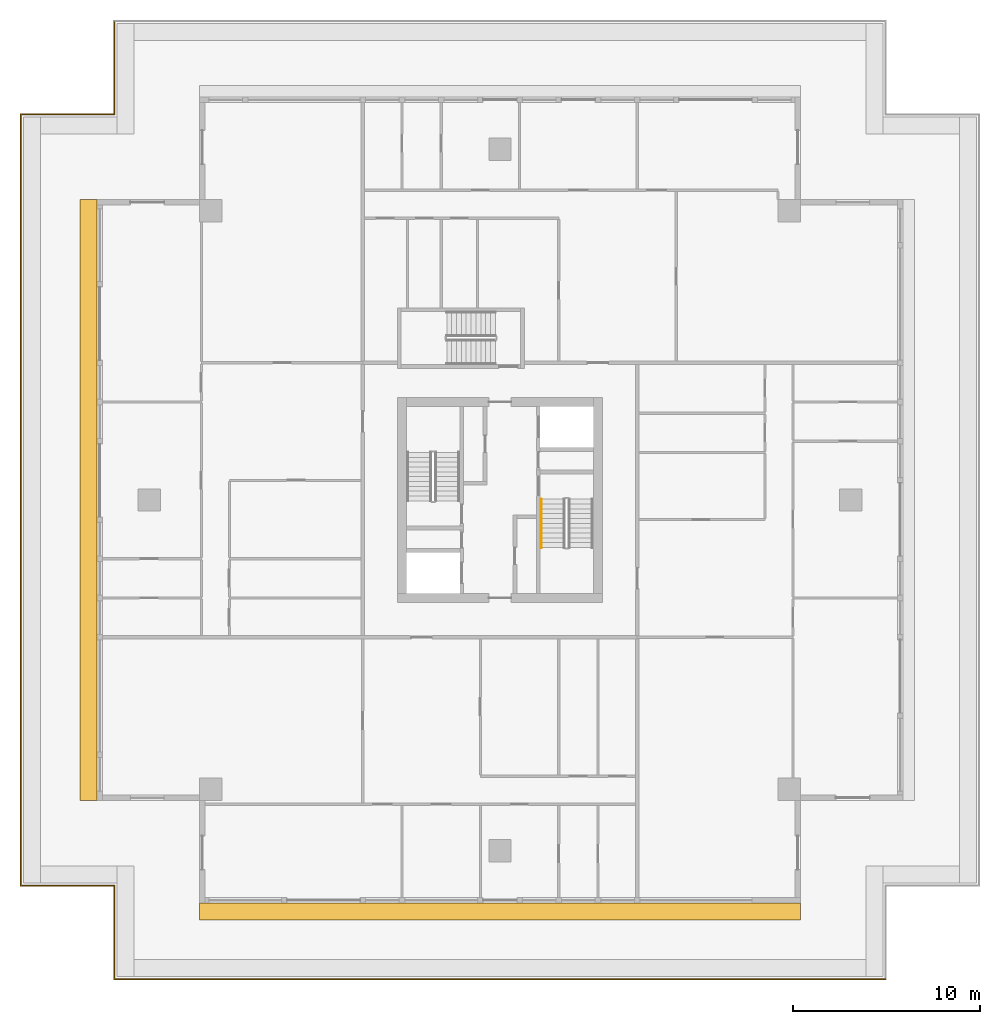
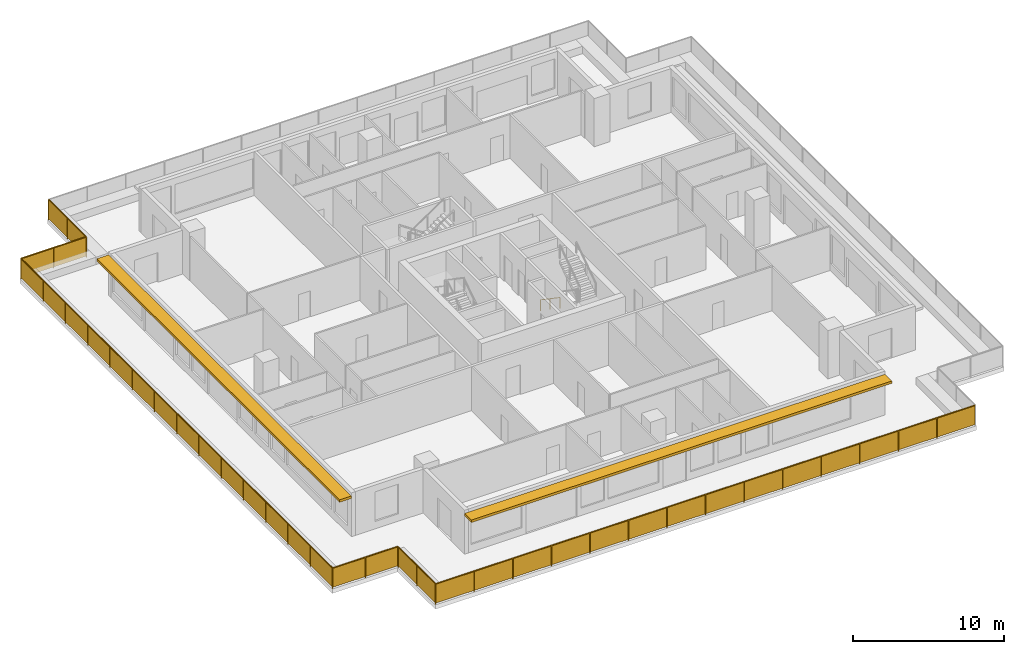
# One storey, part 7 of 11: 3 railings, 2 shading devices.
"""IFC4 building model written with IfcOpenShell, lengths in metres."""

from ifc_helpers import new_model, si_unit, direction, frame, origin, origin_2d, place, context, subcontext, project, spatial, polyline, rectangle, outline, extrude, material, layer, layer_set, type_object, element, save


model = new_model("IFC4")

# Units and contexts
model_context = context("Model", 3, precision=1e-05, world=origin(), true_north=direction((0.0, 1.0)))
body_context = subcontext(model_context, "Body", "Model", "MODEL_VIEW")
ifc_project = project(units=[si_unit("LENGTHUNIT", "METRE"), si_unit("AREAUNIT", "SQUARE_METRE"), si_unit("VOLUMEUNIT", "CUBIC_METRE"), si_unit("PLANEANGLEUNIT", "RADIAN"), si_unit("MASSUNIT", "GRAM", prefix="KILO")], contexts=[model_context])

# Site, building, storey
site_placement = place(None, origin())
site = spatial("IfcSite", under=ifc_project, at=site_placement, CompositionType="ELEMENT")
building_placement = place(site_placement, origin())
building = spatial("IfcBuilding", under=site, at=building_placement, Name="Khepri Terraces", CompositionType="ELEMENT")
storey_placement = place(building_placement, frame((0.0, 0.0, 292.800048828125)))
storey = spatial("IfcBuildingStorey", under=building, at=storey_placement, Name="L70", CompositionType="ELEMENT", Elevation=292.800048828125)

# Railings
ifc_material_1 = material(Name="Stainless steel grade 316", Category="steel")
railing_type_1 = type_object("IfcRailingType", Name="GRD-TERR-1700", PredefinedType="GUARDRAIL", material=ifc_material_1)
railing_1_placement = place(storey_placement, frame((-20.669921875, -20.669921875, 0.0)))
element("IfcRailing", 1, at=railing_1_placement, inside=storey, type_object=railing_type_1, Name="Terrace guard L70", PredefinedType="GUARDRAIL", context=body_context, shape_type="SweptSolid", body=[
    extrude(rectangle(XDim=0.050048828125, YDim=0.06005859375, at=origin_2d()), frame((0.0, 0.0, 1.669921875), z_axis=(-1.0, 0.0, 0.0), x_axis=(0.0, -1.0, 0.0)), (0.0, 0.0, 1.0), 5.0),
    extrude(rectangle(XDim=2.449951171875, YDim=0.011962890625, at=origin_2d()), frame((-1.25, 0.0, 0.10009765625), z_axis=(0.0, 0.0, 1.0), x_axis=(-1.0, 0.0, 0.0)), (0.0, 0.0, 1.0), 1.539794921875),
    extrude(rectangle(XDim=2.449951171875, YDim=0.011962890625, at=origin_2d()), frame((-3.75, 0.0, 0.10009765625), z_axis=(0.0, 0.0, 1.0), x_axis=(-1.0, 0.0, 0.0)), (0.0, 0.0, 1.0), 1.539794921875),
    extrude(rectangle(XDim=0.050048828125, YDim=0.06005859375, at=origin_2d()), frame((-5.0, 0.0, 1.669921875), z_axis=(0.0, 1.0, 0.0), x_axis=(-1.0, 0.0, 0.0)), (0.0, 0.0, 1.0), 41.33984375),
    extrude(rectangle(XDim=2.90283203125, YDim=0.011962890625, at=origin_2d()), frame((-5.0, 1.476318359375, 0.10009765625), z_axis=(0.0, 0.0, 1.0), x_axis=(0.0, 1.0, 0.0)), (0.0, 0.0, 1.0), 1.539794921875),
    extrude(rectangle(XDim=2.90283203125, YDim=0.011962890625, at=origin_2d()), frame((-5.0, 4.42919921875, 0.10009765625), z_axis=(0.0, 0.0, 1.0), x_axis=(0.0, 1.0, 0.0)), (0.0, 0.0, 1.0), 1.539794921875),
    extrude(rectangle(XDim=2.90283203125, YDim=0.011962890625, at=origin_2d()), frame((-5.0, 7.382080078125, 0.10009765625), z_axis=(0.0, 0.0, 1.0), x_axis=(0.0, 1.0, 0.0)), (0.0, 0.0, 1.0), 1.539794921875),
    extrude(rectangle(XDim=2.90283203125, YDim=0.011962890625, at=origin_2d()), frame((-5.0, 10.3349609375, 0.10009765625), z_axis=(0.0, 0.0, 1.0), x_axis=(0.0, 1.0, 0.0)), (0.0, 0.0, 1.0), 1.539794921875),
    extrude(rectangle(XDim=2.90283203125, YDim=0.011962890625, at=origin_2d()), frame((-5.0, 13.287841796875, 0.10009765625), z_axis=(0.0, 0.0, 1.0), x_axis=(0.0, 1.0, 0.0)), (0.0, 0.0, 1.0), 1.539794921875),
    extrude(rectangle(XDim=2.90283203125, YDim=0.011962890625, at=origin_2d()), frame((-5.0, 16.24072265625, 0.10009765625), z_axis=(0.0, 0.0, 1.0), x_axis=(0.0, 1.0, 0.0)), (0.0, 0.0, 1.0), 1.539794921875),
    extrude(rectangle(XDim=2.90283203125, YDim=0.011962890625, at=origin_2d()), frame((-5.0, 19.193603515625, 0.10009765625), z_axis=(0.0, 0.0, 1.0), x_axis=(0.0, 1.0, 0.0)), (0.0, 0.0, 1.0), 1.539794921875),
    extrude(rectangle(XDim=2.90283203125, YDim=0.011962890625, at=origin_2d()), frame((-5.0, 22.146240234375, 0.10009765625), z_axis=(0.0, 0.0, 1.0), x_axis=(0.0, 1.0, 0.0)), (0.0, 0.0, 1.0), 1.539794921875),
    extrude(rectangle(XDim=2.90283203125, YDim=0.011962890625, at=origin_2d()), frame((-5.0, 25.09912109375, 0.10009765625), z_axis=(0.0, 0.0, 1.0), x_axis=(0.0, 1.0, 0.0)), (0.0, 0.0, 1.0), 1.539794921875),
    extrude(rectangle(XDim=2.90283203125, YDim=0.011962890625, at=origin_2d()), frame((-5.0, 28.052001953125, 0.10009765625), z_axis=(0.0, 0.0, 1.0), x_axis=(0.0, 1.0, 0.0)), (0.0, 0.0, 1.0), 1.539794921875),
    extrude(rectangle(XDim=2.90283203125, YDim=0.011962890625, at=origin_2d()), frame((-5.0, 31.0048828125, 0.10009765625), z_axis=(0.0, 0.0, 1.0), x_axis=(0.0, 1.0, 0.0)), (0.0, 0.0, 1.0), 1.539794921875),
    extrude(rectangle(XDim=2.90283203125, YDim=0.011962890625, at=origin_2d()), frame((-5.0, 33.957763671875, 0.10009765625), z_axis=(0.0, 0.0, 1.0), x_axis=(0.0, 1.0, 0.0)), (0.0, 0.0, 1.0), 1.539794921875),
    extrude(rectangle(XDim=2.90283203125, YDim=0.011962890625, at=origin_2d()), frame((-5.0, 36.91064453125, 0.10009765625), z_axis=(0.0, 0.0, 1.0), x_axis=(0.0, 1.0, 0.0)), (0.0, 0.0, 1.0), 1.539794921875),
    extrude(rectangle(XDim=2.90283203125, YDim=0.011962890625, at=origin_2d()), frame((-5.0, 39.863525390625, 0.10009765625), z_axis=(0.0, 0.0, 1.0), x_axis=(0.0, 1.0, 0.0)), (0.0, 0.0, 1.0), 1.539794921875),
    extrude(rectangle(XDim=0.050048828125, YDim=0.06005859375, at=origin_2d()), frame((-5.0, 41.33984375, 1.669921875), z_axis=(1.0, 0.0, 0.0), x_axis=(0.0, 1.0, 0.0)), (0.0, 0.0, 1.0), 5.0),
    extrude(rectangle(XDim=2.449951171875, YDim=0.011962890625, at=origin_2d()), frame((-3.75, 41.33984375, 0.10009765625), z_axis=(0.0, 0.0, 1.0), x_axis=(1.0, 0.0, 0.0)), (0.0, 0.0, 1.0), 1.539794921875),
    extrude(rectangle(XDim=2.449951171875, YDim=0.011962890625, at=origin_2d()), frame((-1.25, 41.33984375, 0.10009765625), z_axis=(0.0, 0.0, 1.0), x_axis=(1.0, 0.0, 0.0)), (0.0, 0.0, 1.0), 1.539794921875),
    extrude(rectangle(XDim=0.050048828125, YDim=0.06005859375, at=origin_2d()), frame((0.0, 41.33984375, 1.669921875), z_axis=(0.0, 1.0, 0.0), x_axis=(-1.0, 0.0, 0.0)), (0.0, 0.0, 1.0), 5.0),
    extrude(rectangle(XDim=2.449951171875, YDim=0.011962890625, at=origin_2d()), frame((0.0, 42.58984375, 0.10009765625), z_axis=(0.0, 0.0, 1.0), x_axis=(0.0, 1.0, 0.0)), (0.0, 0.0, 1.0), 1.539794921875),
    extrude(rectangle(XDim=2.449951171875, YDim=0.011962890625, at=origin_2d()), frame((0.0, 45.08984375, 0.10009765625), z_axis=(0.0, 0.0, 1.0), x_axis=(0.0, 1.0, 0.0)), (0.0, 0.0, 1.0), 1.539794921875),
    extrude(rectangle(XDim=0.050048828125, YDim=0.050048828125, at=origin_2d()), origin(), (0.0, 0.0, 1.0), 1.639892578125),
    extrude(rectangle(XDim=0.050048828125, YDim=0.050048828125, at=origin_2d()), frame((-2.5, 0.0, 0.0)), (0.0, 0.0, 1.0), 1.639892578125),
    extrude(rectangle(XDim=0.050048828125, YDim=0.050048828125, at=origin_2d()), frame((-5.0, 0.0, 0.0)), (0.0, 0.0, 1.0), 1.639892578125),
    extrude(rectangle(XDim=0.050048828125, YDim=0.050048828125, at=origin_2d()), frame((-5.0, 2.952880859375, 0.0)), (0.0, 0.0, 1.0), 1.639892578125),
    extrude(rectangle(XDim=0.050048828125, YDim=0.050048828125, at=origin_2d()), frame((-5.0, 5.90576171875, 0.0)), (0.0, 0.0, 1.0), 1.639892578125),
    extrude(rectangle(XDim=0.050048828125, YDim=0.050048828125, at=origin_2d()), frame((-5.0, 8.858642578125, 0.0)), (0.0, 0.0, 1.0), 1.639892578125),
    extrude(rectangle(XDim=0.050048828125, YDim=0.050048828125, at=origin_2d()), frame((-5.0, 11.811279296875, 0.0)), (0.0, 0.0, 1.0), 1.639892578125),
    extrude(rectangle(XDim=0.050048828125, YDim=0.050048828125, at=origin_2d()), frame((-5.0, 14.76416015625, 0.0)), (0.0, 0.0, 1.0), 1.639892578125),
    extrude(rectangle(XDim=0.050048828125, YDim=0.050048828125, at=origin_2d()), frame((-5.0, 17.717041015625, 0.0)), (0.0, 0.0, 1.0), 1.639892578125),
    extrude(rectangle(XDim=0.050048828125, YDim=0.050048828125, at=origin_2d()), frame((-5.0, 20.669921875, 0.0)), (0.0, 0.0, 1.0), 1.639892578125),
    extrude(rectangle(XDim=0.050048828125, YDim=0.050048828125, at=origin_2d()), frame((-5.0, 23.622802734375, 0.0)), (0.0, 0.0, 1.0), 1.639892578125),
    extrude(rectangle(XDim=0.050048828125, YDim=0.050048828125, at=origin_2d()), frame((-5.0, 26.57568359375, 0.0)), (0.0, 0.0, 1.0), 1.639892578125),
    extrude(rectangle(XDim=0.050048828125, YDim=0.050048828125, at=origin_2d()), frame((-5.0, 29.528564453125, 0.0)), (0.0, 0.0, 1.0), 1.639892578125),
    extrude(rectangle(XDim=0.050048828125, YDim=0.050048828125, at=origin_2d()), frame((-5.0, 32.481201171875, 0.0)), (0.0, 0.0, 1.0), 1.639892578125),
    extrude(rectangle(XDim=0.050048828125, YDim=0.050048828125, at=origin_2d()), frame((-5.0, 35.43408203125, 0.0)), (0.0, 0.0, 1.0), 1.639892578125),
    extrude(rectangle(XDim=0.050048828125, YDim=0.050048828125, at=origin_2d()), frame((-5.0, 38.386962890625, 0.0)), (0.0, 0.0, 1.0), 1.639892578125),
    extrude(rectangle(XDim=0.050048828125, YDim=0.050048828125, at=origin_2d()), frame((-5.0, 41.33984375, 0.0)), (0.0, 0.0, 1.0), 1.639892578125),
    extrude(rectangle(XDim=0.050048828125, YDim=0.050048828125, at=origin_2d()), frame((-2.5, 41.33984375, 0.0)), (0.0, 0.0, 1.0), 1.639892578125),
    extrude(rectangle(XDim=0.050048828125, YDim=0.050048828125, at=origin_2d()), frame((0.0, 41.33984375, 0.0)), (0.0, 0.0, 1.0), 1.639892578125),
    extrude(rectangle(XDim=0.050048828125, YDim=0.050048828125, at=origin_2d()), frame((0.0, 43.83984375, 0.0)), (0.0, 0.0, 1.0), 1.639892578125),
    extrude(rectangle(XDim=0.050048828125, YDim=0.050048828125, at=origin_2d()), frame((0.0, 46.33984375, 0.0)), (0.0, 0.0, 1.0), 1.639892578125),
])
railing_2_placement = place(storey_placement, frame((20.669921875, -25.669921875, 0.0)))
element("IfcRailing", 2, at=railing_2_placement, inside=storey, type_object=railing_type_1, Name="Terrace guard L70", PredefinedType="GUARDRAIL", context=body_context, shape_type="SweptSolid", body=[
    extrude(rectangle(XDim=0.050048828125, YDim=0.06005859375, at=origin_2d()), frame((0.0, 0.0, 1.669921875), z_axis=(-1.0, 0.0, 0.0), x_axis=(0.0, -1.0, 0.0)), (0.0, 0.0, 1.0), 41.33984375),
    extrude(rectangle(XDim=2.90283203125, YDim=0.011962890625, at=origin_2d()), frame((-1.476318359375, 0.0, 0.10009765625), z_axis=(0.0, 0.0, 1.0), x_axis=(-1.0, 0.0, 0.0)), (0.0, 0.0, 1.0), 1.539794921875),
    extrude(rectangle(XDim=2.90283203125, YDim=0.011962890625, at=origin_2d()), frame((-4.42919921875, 0.0, 0.10009765625), z_axis=(0.0, 0.0, 1.0), x_axis=(-1.0, 0.0, 0.0)), (0.0, 0.0, 1.0), 1.539794921875),
    extrude(rectangle(XDim=2.90283203125, YDim=0.011962890625, at=origin_2d()), frame((-7.382080078125, 0.0, 0.10009765625), z_axis=(0.0, 0.0, 1.0), x_axis=(-1.0, 0.0, 0.0)), (0.0, 0.0, 1.0), 1.539794921875),
    extrude(rectangle(XDim=2.90283203125, YDim=0.011962890625, at=origin_2d()), frame((-10.3349609375, 0.0, 0.10009765625), z_axis=(0.0, 0.0, 1.0), x_axis=(-1.0, 0.0, 0.0)), (0.0, 0.0, 1.0), 1.539794921875),
    extrude(rectangle(XDim=2.90283203125, YDim=0.011962890625, at=origin_2d()), frame((-13.287841796875, 0.0, 0.10009765625), z_axis=(0.0, 0.0, 1.0), x_axis=(-1.0, 0.0, 0.0)), (0.0, 0.0, 1.0), 1.539794921875),
    extrude(rectangle(XDim=2.90283203125, YDim=0.011962890625, at=origin_2d()), frame((-16.24072265625, 0.0, 0.10009765625), z_axis=(0.0, 0.0, 1.0), x_axis=(-1.0, 0.0, 0.0)), (0.0, 0.0, 1.0), 1.539794921875),
    extrude(rectangle(XDim=2.90283203125, YDim=0.011962890625, at=origin_2d()), frame((-19.193603515625, 0.0, 0.10009765625), z_axis=(0.0, 0.0, 1.0), x_axis=(-1.0, 0.0, 0.0)), (0.0, 0.0, 1.0), 1.539794921875),
    extrude(rectangle(XDim=2.90283203125, YDim=0.011962890625, at=origin_2d()), frame((-22.146240234375, 0.0, 0.10009765625), z_axis=(0.0, 0.0, 1.0), x_axis=(-1.0, 0.0, 0.0)), (0.0, 0.0, 1.0), 1.539794921875),
    extrude(rectangle(XDim=2.90283203125, YDim=0.011962890625, at=origin_2d()), frame((-25.09912109375, 0.0, 0.10009765625), z_axis=(0.0, 0.0, 1.0), x_axis=(-1.0, 0.0, 0.0)), (0.0, 0.0, 1.0), 1.539794921875),
    extrude(rectangle(XDim=2.90283203125, YDim=0.011962890625, at=origin_2d()), frame((-28.052001953125, 0.0, 0.10009765625), z_axis=(0.0, 0.0, 1.0), x_axis=(-1.0, 0.0, 0.0)), (0.0, 0.0, 1.0), 1.539794921875),
    extrude(rectangle(XDim=2.90283203125, YDim=0.011962890625, at=origin_2d()), frame((-31.0048828125, 0.0, 0.10009765625), z_axis=(0.0, 0.0, 1.0), x_axis=(-1.0, 0.0, 0.0)), (0.0, 0.0, 1.0), 1.539794921875),
    extrude(rectangle(XDim=2.90283203125, YDim=0.011962890625, at=origin_2d()), frame((-33.957763671875, 0.0, 0.10009765625), z_axis=(0.0, 0.0, 1.0), x_axis=(-1.0, 0.0, 0.0)), (0.0, 0.0, 1.0), 1.539794921875),
    extrude(rectangle(XDim=2.90283203125, YDim=0.011962890625, at=origin_2d()), frame((-36.91064453125, 0.0, 0.10009765625), z_axis=(0.0, 0.0, 1.0), x_axis=(-1.0, 0.0, 0.0)), (0.0, 0.0, 1.0), 1.539794921875),
    extrude(rectangle(XDim=2.90283203125, YDim=0.011962890625, at=origin_2d()), frame((-39.863525390625, 0.0, 0.10009765625), z_axis=(0.0, 0.0, 1.0), x_axis=(-1.0, 0.0, 0.0)), (0.0, 0.0, 1.0), 1.539794921875),
    extrude(rectangle(XDim=0.050048828125, YDim=0.06005859375, at=origin_2d()), frame((-41.33984375, 0.0, 1.669921875), z_axis=(0.0, 1.0, 0.0), x_axis=(-1.0, 0.0, 0.0)), (0.0, 0.0, 1.0), 4.919921875),
    extrude(rectangle(XDim=2.409912109375, YDim=0.011962890625, at=origin_2d()), frame((-41.33984375, 1.22998046875, 0.10009765625), z_axis=(0.0, 0.0, 1.0), x_axis=(0.0, 1.0, 0.0)), (0.0, 0.0, 1.0), 1.539794921875),
    extrude(rectangle(XDim=2.409912109375, YDim=0.011962890625, at=origin_2d()), frame((-41.33984375, 3.68994140625, 0.10009765625), z_axis=(0.0, 0.0, 1.0), x_axis=(0.0, 1.0, 0.0)), (0.0, 0.0, 1.0), 1.539794921875),
    extrude(rectangle(XDim=0.050048828125, YDim=0.050048828125, at=origin_2d()), frame((-2.952880859375, 0.0, 0.0)), (0.0, 0.0, 1.0), 1.639892578125),
    extrude(rectangle(XDim=0.050048828125, YDim=0.050048828125, at=origin_2d()), frame((-5.90576171875, 0.0, 0.0)), (0.0, 0.0, 1.0), 1.639892578125),
    extrude(rectangle(XDim=0.050048828125, YDim=0.050048828125, at=origin_2d()), frame((-8.858642578125, 0.0, 0.0)), (0.0, 0.0, 1.0), 1.639892578125),
    extrude(rectangle(XDim=0.050048828125, YDim=0.050048828125, at=origin_2d()), frame((-11.811279296875, 0.0, 0.0)), (0.0, 0.0, 1.0), 1.639892578125),
    extrude(rectangle(XDim=0.050048828125, YDim=0.050048828125, at=origin_2d()), frame((-14.76416015625, 0.0, 0.0)), (0.0, 0.0, 1.0), 1.639892578125),
    extrude(rectangle(XDim=0.050048828125, YDim=0.050048828125, at=origin_2d()), frame((-17.717041015625, 0.0, 0.0)), (0.0, 0.0, 1.0), 1.639892578125),
    extrude(rectangle(XDim=0.050048828125, YDim=0.050048828125, at=origin_2d()), frame((-20.669921875, 0.0, 0.0)), (0.0, 0.0, 1.0), 1.639892578125),
    extrude(rectangle(XDim=0.050048828125, YDim=0.050048828125, at=origin_2d()), frame((-23.622802734375, 0.0, 0.0)), (0.0, 0.0, 1.0), 1.639892578125),
    extrude(rectangle(XDim=0.050048828125, YDim=0.050048828125, at=origin_2d()), frame((-26.57568359375, 0.0, 0.0)), (0.0, 0.0, 1.0), 1.639892578125),
    extrude(rectangle(XDim=0.050048828125, YDim=0.050048828125, at=origin_2d()), frame((-29.528564453125, 0.0, 0.0)), (0.0, 0.0, 1.0), 1.639892578125),
    extrude(rectangle(XDim=0.050048828125, YDim=0.050048828125, at=origin_2d()), frame((-32.481201171875, 0.0, 0.0)), (0.0, 0.0, 1.0), 1.639892578125),
    extrude(rectangle(XDim=0.050048828125, YDim=0.050048828125, at=origin_2d()), frame((-35.43408203125, 0.0, 0.0)), (0.0, 0.0, 1.0), 1.639892578125),
    extrude(rectangle(XDim=0.050048828125, YDim=0.050048828125, at=origin_2d()), frame((-38.386962890625, 0.0, 0.0)), (0.0, 0.0, 1.0), 1.639892578125),
    extrude(rectangle(XDim=0.050048828125, YDim=0.050048828125, at=origin_2d()), frame((-41.33984375, 0.0, 0.0)), (0.0, 0.0, 1.0), 1.639892578125),
    extrude(rectangle(XDim=0.050048828125, YDim=0.050048828125, at=origin_2d()), frame((-41.33984375, 2.4599609375, 0.0)), (0.0, 0.0, 1.0), 1.639892578125),
    extrude(rectangle(XDim=0.050048828125, YDim=0.050048828125, at=origin_2d()), frame((-41.33984375, 4.919921875, 0.0)), (0.0, 0.0, 1.0), 1.639892578125),
])
ifc_material_2 = material(Name="Stainless steel 316", Category="steel")
railing_type_2 = type_object("IfcRailingType", Name="RL-CORE-HANDRAIL", PredefinedType="HANDRAIL", material=ifc_material_2)
railing_3_placement = place(storey_placement, frame((2.199951171875, 0.050048828125, 0.17724609375)))
element("IfcRailing", 3, at=railing_3_placement, inside=storey, type_object=railing_type_2, Name="L70 ST-2 stair handrail 1", PredefinedType="HANDRAIL", context=body_context, shape_type="SweptSolid", body=[
    extrude(rectangle(XDim=0.050048828125, YDim=0.050048828125, at=origin_2d()), frame((0.0, 0.0, 0.875), z_axis=(0.0, -0.826240473404, 0.563317565952), x_axis=(1.0, 0.0, 0.0)), (0.0, 0.0, 1.0), 3.14697265625),
    extrude(rectangle(XDim=0.050048828125, YDim=0.050048828125, at=origin_2d()), origin(), (0.0, 0.0, 1.0), 0.849853515625),
    extrude(rectangle(XDim=0.050048828125, YDim=0.050048828125, at=origin_2d()), frame((0.0, -1.300048828125, 0.88623046875)), (0.0, 0.0, 1.0), 0.849853515625),
    extrude(rectangle(XDim=0.050048828125, YDim=0.050048828125, at=origin_2d()), frame((0.0, -2.60009765625, 1.772705078125)), (0.0, 0.0, 1.0), 0.849853515625),
])

# Shading devices
ifc_material_3 = material(Name="Precast concrete C50/60 warm stone", Category="masonry")
ifc_layer = layer(ifc_material_3, 0.199951171875, Name="Precast concrete C50/60 warm stone", Category="masonry")
ifc_layer_set = layer_set([ifc_layer], Name="Precast concrete C50/60 warm stone")
shading_device_type = type_object("IfcShadingDeviceType", Name="SSH-BAND-STONE-200", PredefinedType="USERDEFINED", material=ifc_layer_set)
shading_device_1_placement = place(storey_placement, frame((0.0, 0.0, 3.099853515625)))
element("IfcShadingDevice", 4, at=shading_device_1_placement, inside=storey, type_object=shading_device_type, Name="Sunshade band L70 S", ObjectType="SUNSHADE", PredefinedType="USERDEFINED", context=body_context, shape_type="SweptSolid", body=[
    extrude(outline(polyline([(16.10009765625, -21.60009765625), (-16.10009765625, -21.60009765625), (-16.10009765625, -22.5), (16.10009765625, -22.5), (16.10009765625, -21.60009765625)])), origin(), (0.0, 0.0, 1.0), 0.2001953125),
])
shading_device_2_placement = place(storey_placement, frame((0.0, 0.0, 3.099853515625)))
element("IfcShadingDevice", 5, at=shading_device_2_placement, inside=storey, type_object=shading_device_type, Name="Sunshade band L70 W", ObjectType="SUNSHADE", PredefinedType="USERDEFINED", context=body_context, shape_type="SweptSolid", body=[
    extrude(outline(polyline([(-21.60009765625, -16.10009765625), (-21.60009765625, 16.10009765625), (-22.5, 16.10009765625), (-22.5, -16.10009765625), (-21.60009765625, -16.10009765625)])), origin(), (0.0, 0.0, 1.0), 0.2001953125),
])

save(model, "model.ifc")
